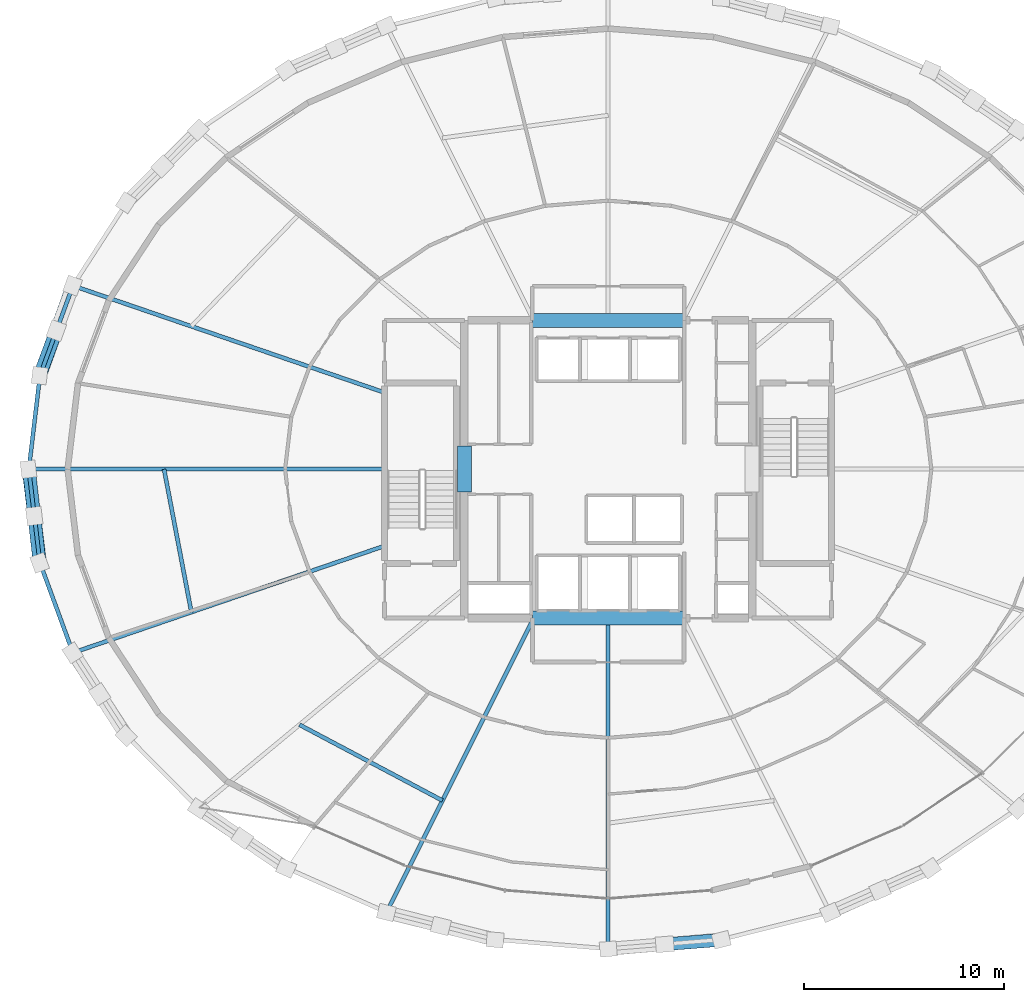
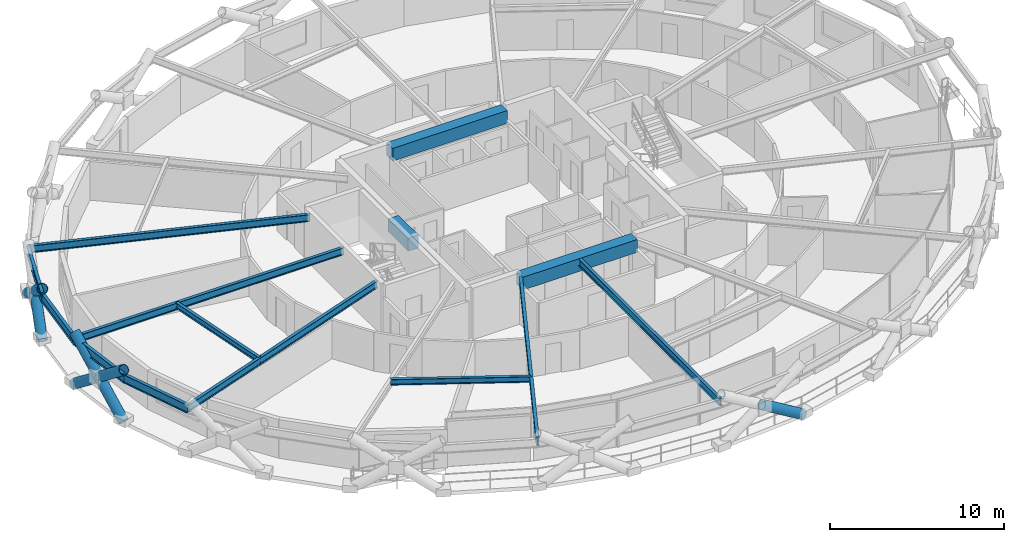
# One storey, part 5 of 22: 14 beams, 6 members.
"""IFC4 building model written with IfcOpenShell, lengths in metres."""

from ifc_helpers import new_model, si_unit, direction, frame, origin, origin_2d, place, context, subcontext, project, spatial, rectangle, hollow_circle, i_section, extrude, material, material_profile, profile_set, type_object, element, save


model = new_model("IFC4")

# Units and contexts
model_context = context("Model", 3, precision=1e-05, world=origin(), true_north=direction((0.0, 1.0)))
body_context = subcontext(model_context, "Body", "Model", "MODEL_VIEW")
ifc_project = project(units=[si_unit("LENGTHUNIT", "METRE"), si_unit("AREAUNIT", "SQUARE_METRE"), si_unit("VOLUMEUNIT", "CUBIC_METRE"), si_unit("PLANEANGLEUNIT", "RADIAN"), si_unit("MASSUNIT", "GRAM", prefix="KILO")], contexts=[model_context])

# Site, building, storey
site_placement = place(None, origin())
site = spatial("IfcSite", under=ifc_project, at=site_placement, CompositionType="ELEMENT")
building_placement = place(site_placement, origin())
building = spatial("IfcBuilding", under=site, at=building_placement, Name="Veldorina Hangang Commons", CompositionType="ELEMENT")
storey_placement = place(building_placement, frame((0.0, 0.0, 80.800048828125)))
storey = spatial("IfcBuildingStorey", under=building, at=storey_placement, Name="L20", CompositionType="ELEMENT", Elevation=80.800048828125)

# Beams
ifc_material_1 = material(Name="Concrete C70/85", Category="concrete")
ifc_material_profile_1 = material_profile(ifc_material_1, rectangle(XDim=0.699951171875, YDim=0.89990234375, at=origin_2d()), Name="RC-CB-700x900")
ifc_profile_set_1 = profile_set([ifc_material_profile_1], Name="Concrete C70/85")
beam_type_1 = type_object("IfcBeamType", Name="BM-CB900", PredefinedType="LINTEL", material=ifc_profile_set_1)
beam_1_placement = place(storey_placement, frame((24.800048828125, 22.85009765625, 2.889892578125), z_axis=(0.0, 1.0, 0.0), x_axis=(-1.0, 0.0, 0.0)))
element("IfcBeam", 1, at=beam_1_placement, inside=storey, type_object=beam_type_1, Name="L20 W core coupling lintel beam", PredefinedType="LINTEL", context=body_context, shape_type="SweptSolid", body=[
    extrude(rectangle(XDim=0.699951171875, YDim=0.89990234375, at=origin_2d()), origin(), (0.0, 0.0, 1.0), 2.2998046875),
])
for number, where, z_axis, x_axis, name in (
    (2, (28.199951171875, 16.550048828125, 2.889892578125), (1.0, 0.0, 0.0), (0.0, 1.0, 0.0), "L20 south core coupling beam"),
    (3, (28.199951171875, 31.449951171875, 2.889892578125), (1.0, 0.0, 0.0), (0.0, 1.0, 0.0), "L20 north core coupling beam"),
):
    element("IfcBeam", number, at=place(storey_placement, frame(where, z_axis=z_axis, x_axis=x_axis)), inside=storey, type_object=beam_type_1, Name=name, PredefinedType="LINTEL", context=body_context, shape_type="SweptSolid", body=[
        extrude(rectangle(XDim=0.699951171875, YDim=0.89990234375, at=origin_2d()), origin(), (0.0, 0.0, 1.0), 7.60009765625),
    ])
ifc_material_2 = material(Name="Steel SM420-TMC", Category="steel")
ifc_material_profile_2 = material_profile(ifc_material_2, i_section(OverallWidth=0.199951171875, OverallDepth=0.5, WebThickness=0.010009765625, FlangeThickness=0.01611328125, FilletRadius=0.01611328125, at=origin_2d()), Name="H-500x200x10x16")
ifc_profile_set_2 = profile_set([ifc_material_profile_2], Name="Steel SM420-TMC")
beam_type_2 = type_object("IfcBeamType", Name="BM-FG500", PredefinedType="BEAM", material=ifc_profile_set_2)
beam_2_placement = place(storey_placement, frame((20.820068359375, 27.8330078125, 3.08984375), z_axis=(-0.945956848509, 0.324292523439, 0.0), x_axis=(-0.324292523439, -0.945956848509, 0.0)))
element("IfcBeam", 4, at=beam_2_placement, inside=storey, type_object=beam_type_2, Name="L20 radial floor girder 08", PredefinedType="BEAM", context=body_context, shape_type="SweptSolid", body=[
    extrude(i_section(OverallWidth=0.199951171875, OverallDepth=0.5, WebThickness=0.010009765625, FlangeThickness=0.01611328125, FilletRadius=0.01611328125, at=origin_2d()), origin(), (0.0, 0.0, 1.0), 16.4873046875),
])
beam_3_placement = place(storey_placement, frame((20.820068359375, 24.0, 3.08984375), z_axis=(-1.0, 0.0, 0.0), x_axis=(0.0, -1.0, 0.0)))
element("IfcBeam", 5, at=beam_3_placement, inside=storey, type_object=beam_type_2, Name="L20 radial floor girder 09", PredefinedType="BEAM", context=body_context, shape_type="SweptSolid", body=[
    extrude(i_section(OverallWidth=0.199951171875, OverallDepth=0.5, WebThickness=0.010009765625, FlangeThickness=0.01611328125, FilletRadius=0.01611328125, at=origin_2d()), origin(), (0.0, 0.0, 1.0), 17.802490234375),
])
beam_4_placement = place(storey_placement, frame((20.820068359375, 20.1669921875, 3.08984375), z_axis=(-0.945956848509, -0.324292523439, 0.0), x_axis=(0.324292523439, -0.945956848509, 0.0)))
element("IfcBeam", 6, at=beam_4_placement, inside=storey, type_object=beam_type_2, Name="L20 radial floor girder 10", PredefinedType="BEAM", context=body_context, shape_type="SweptSolid", body=[
    extrude(i_section(OverallWidth=0.199951171875, OverallDepth=0.5, WebThickness=0.010009765625, FlangeThickness=0.01611328125, FilletRadius=0.01611328125, at=origin_2d()), origin(), (0.0, 0.0, 1.0), 16.4873046875),
])
beam_5_placement = place(storey_placement, frame((28.271484375, 16.550048828125, 3.08984375), z_axis=(-0.447540053127, -0.894263887701, 0.0), x_axis=(0.894263887701, -0.447540053127, 0.0)))
element("IfcBeam", 7, at=beam_5_placement, inside=storey, type_object=beam_type_2, Name="L20 radial floor girder 12", PredefinedType="BEAM", context=body_context, shape_type="SweptSolid", body=[
    extrude(i_section(OverallWidth=0.199951171875, OverallDepth=0.5, WebThickness=0.010009765625, FlangeThickness=0.01611328125, FilletRadius=0.01611328125, at=origin_2d()), origin(), (0.0, 0.0, 1.0), 16.451171875),
])
beam_6_placement = place(storey_placement, frame((32.0, 16.550048828125, 3.08984375), z_axis=(0.0, -1.0, 0.0), x_axis=(1.0, 0.0, 0.0)))
element("IfcBeam", 8, at=beam_6_placement, inside=storey, type_object=beam_type_2, Name="L20 radial floor girder 13", PredefinedType="BEAM", context=body_context, shape_type="SweptSolid", body=[
    extrude(i_section(OverallWidth=0.199951171875, OverallDepth=0.5, WebThickness=0.010009765625, FlangeThickness=0.01611328125, FilletRadius=0.01611328125, at=origin_2d()), origin(), (0.0, 0.0, 1.0), 16.53759765625),
])
ifc_material_3 = material(Name="Steel SM355-TMC", Category="steel")
ifc_material_profile_3 = material_profile(ifc_material_3, i_section(OverallWidth=0.199951171875, OverallDepth=0.39990234375, WebThickness=0.008056640625, FlangeThickness=0.012939453125, FilletRadius=0.012939453125, at=origin_2d()), Name="H-400x200x8x13")
ifc_profile_set_3 = profile_set([ifc_material_profile_3], Name="Steel SM355-TMC")
beam_type_3 = type_object("IfcBeamType", Name="BM-JST400", PredefinedType="JOIST", material=ifc_profile_set_3)
beam_7_placement = place(storey_placement, frame((9.78271484375, 24.0, 3.139892578125), z_axis=(0.187929057734, -0.982182604845, 0.0), x_axis=(0.982182604845, 0.187929057734, 0.0)))
element("IfcBeam", 9, at=beam_7_placement, inside=storey, type_object=beam_type_3, Name="L20 secondary floor joist 09", PredefinedType="JOIST", context=body_context, shape_type="SweptSolid", body=[
    extrude(i_section(OverallWidth=0.199951171875, OverallDepth=0.39990234375, WebThickness=0.008056640625, FlangeThickness=0.012939453125, FilletRadius=0.012939453125, at=origin_2d()), origin(), (0.0, 0.0, 1.0), 7.277587890625),
])
beam_8_placement = place(storey_placement, frame((16.55810546875, 11.21923828125, 3.139892578125), z_axis=(0.883484618335, -0.468460168173, 0.0), x_axis=(0.468460168173, 0.883484618335, 0.0)))
element("IfcBeam", 10, at=beam_8_placement, inside=storey, type_object=beam_type_3, Name="L20 secondary floor joist 11", PredefinedType="JOIST", context=body_context, shape_type="SweptSolid", body=[
    extrude(i_section(OverallWidth=0.199951171875, OverallDepth=0.39990234375, WebThickness=0.008056640625, FlangeThickness=0.012939453125, FilletRadius=0.012939453125, at=origin_2d()), origin(), (0.0, 0.0, 1.0), 8.091552734375),
])
ifc_material_profile_4 = material_profile(ifc_material_2, i_section(OverallWidth=0.199951171875, OverallDepth=0.60009765625, WebThickness=0.010986328125, FlangeThickness=0.01708984375, FilletRadius=0.01806640625, at=origin_2d()), Name="H-600x200x11x17")
ifc_profile_set_4 = profile_set([ifc_material_profile_4], Name="Steel SM420-TMC")
beam_type_4 = type_object("IfcBeamType", Name="BM-RB600", PredefinedType="BEAM", material=ifc_profile_set_4)
beam_9_placement = place(storey_placement, frame((5.223876953125, 33.1796875, 3.0400390625), z_axis=(-0.344101973275, -0.938932282962, 0.0), x_axis=(0.938932282962, -0.344101973275, 0.0)))
element("IfcBeam", 11, at=beam_9_placement, inside=storey, type_object=beam_type_4, Name="L20 perimeter hoop ring beam 14", PredefinedType="BEAM", context=body_context, shape_type="SweptSolid", body=[
    extrude(i_section(OverallWidth=0.199951171875, OverallDepth=0.60009765625, WebThickness=0.010986328125, FlangeThickness=0.01708984375, FilletRadius=0.01806640625, at=origin_2d()), origin(), (0.0, 0.0, 1.0), 4.792724609375),
])
for number, where, z_axis, x_axis, name in (
    (12, (3.57470703125, 28.6796875, 3.0400390625), (-0.118217754595, -0.992987695039, 0.0), (0.992987695039, -0.118217754595, 0.0), "L20 perimeter hoop ring beam 15"),
    (13, (3.017578125, 24.0, 3.0400390625), (0.118217754595, -0.992987695039, 0.0), (0.992987695039, 0.118217754595, 0.0), "L20 perimeter hoop ring beam 16"),
):
    element("IfcBeam", number, at=place(storey_placement, frame(where, z_axis=z_axis, x_axis=x_axis)), inside=storey, type_object=beam_type_4, Name=name, PredefinedType="BEAM", context=body_context, shape_type="SweptSolid", body=[
        extrude(i_section(OverallWidth=0.199951171875, OverallDepth=0.60009765625, WebThickness=0.010986328125, FlangeThickness=0.01708984375, FilletRadius=0.01806640625, at=origin_2d()), origin(), (0.0, 0.0, 1.0), 4.712646484375),
    ])
beam_10_placement = place(storey_placement, frame((3.57470703125, 19.3203125, 3.0400390625), z_axis=(0.344101973275, -0.938932282962, 0.0), x_axis=(0.938932282962, 0.344101973275, 0.0)))
element("IfcBeam", 14, at=beam_10_placement, inside=storey, type_object=beam_type_4, Name="L20 perimeter hoop ring beam 17", PredefinedType="BEAM", context=body_context, shape_type="SweptSolid", body=[
    extrude(i_section(OverallWidth=0.199951171875, OverallDepth=0.60009765625, WebThickness=0.010986328125, FlangeThickness=0.01708984375, FilletRadius=0.01806640625, at=origin_2d()), origin(), (0.0, 0.0, 1.0), 4.792724609375),
])

# Members
ifc_material_4 = material(Name="Steel SM460-TMC", Category="steel")
ifc_material_profile_5 = material_profile(ifc_material_4, hollow_circle(Radius=0.324951171875, WallThickness=0.031982421875, at=origin_2d()), Name="CHS-650x32")
ifc_profile_set_5 = profile_set([ifc_material_profile_5], Name="Steel SM460-TMC")
member_type = type_object("IfcMemberType", Name="DG-CHS650", PredefinedType="BRACE", material=ifc_profile_set_5)
member_1_placement = place(storey_placement, frame((5.20751953125, 33.184326171875, 0.0), z_axis=(-0.271943424306, -0.751786068722, 0.600719968748), x_axis=(0.940367902112, -0.340159093188, 0.0)))
element("IfcMember", 15, at=member_1_placement, inside=storey, type_object=member_type, Name="L20 continuous perimeter diagrid brace 14", PredefinedType="BRACE", context=body_context, shape_type="SweptSolid", body=[
    extrude(hollow_circle(Radius=0.324951171875, WallThickness=0.031982421875, at=origin_2d()), origin(), (0.0, 0.0, 1.0), 5.99267578125),
])
member_2_placement = place(storey_placement, frame((3.55712890625, 28.68212890625, 0.0), z_axis=(0.27843869925, 0.749774129638, 0.60025881525), x_axis=(-0.937445199765, 0.348132873252, 0.0)))
element("IfcMember", 16, at=member_2_placement, inside=storey, type_object=member_type, Name="L20 split perimeter diagrid lower brace 15", PredefinedType="BRACE", context=body_context, shape_type="SweptSolid", body=[
    extrude(hollow_circle(Radius=0.324951171875, WallThickness=0.031982421875, at=origin_2d()), origin(), (0.0, 0.0, 1.0), 2.99951171875),
])
member_3_placement = place(storey_placement, frame((3.0, 24.0, 0.0), z_axis=(0.097418686877, -0.788815611613, 0.606860387834), x_axis=(0.992460023774, 0.122568761154, 0.0)))
element("IfcMember", 17, at=member_3_placement, inside=storey, type_object=member_type, Name="L20 continuous perimeter diagrid brace 16", PredefinedType="BRACE", context=body_context, shape_type="SweptSolid", body=[
    extrude(hollow_circle(Radius=0.324951171875, WallThickness=0.031982421875, at=origin_2d()), origin(), (0.0, 0.0, 1.0), 5.931884765625),
])
member_4_placement = place(storey_placement, frame((3.55712890625, 19.31787109375, 0.0), z_axis=(-0.090376433627, 0.789517988475, 0.607036610197), x_axis=(-0.993511957412, -0.113727703215, 0.0)))
element("IfcMember", 18, at=member_4_placement, inside=storey, type_object=member_type, Name="L20 split perimeter diagrid lower brace 17", PredefinedType="BRACE", context=body_context, shape_type="SweptSolid", body=[
    extrude(hollow_circle(Radius=0.324951171875, WallThickness=0.031982421875, at=origin_2d()), origin(), (0.0, 0.0, 1.0), 2.966064453125),
])
member_5_placement = place(storey_placement, frame((3.2890625, 21.65966796875, 1.800537109375), z_axis=(-0.090434287664, 0.789529218166, 0.607013388054), x_axis=(-0.993503911967, -0.113797965297, 0.0)))
element("IfcMember", 19, at=member_5_placement, inside=storey, type_object=member_type, Name="L20 split perimeter diagrid upper brace 17", PredefinedType="BRACE", context=body_context, shape_type="SweptSolid", body=[
    extrude(hollow_circle(Radius=0.324951171875, WallThickness=0.031982421875, at=origin_2d()), origin(), (0.0, 0.0, 1.0), 2.964111328125),
])
member_6_placement = place(storey_placement, frame((37.65771484375, 0.461181640625, 0.0), z_axis=(-0.841832409885, -0.066454719614, 0.535632302899), x_axis=(0.078695737507, -0.99689868136, 0.0)))
element("IfcMember", 20, at=member_6_placement, inside=storey, type_object=member_type, Name="L20 split perimeter diagrid lower brace 25", PredefinedType="BRACE", context=body_context, shape_type="SweptSolid", body=[
    extrude(hollow_circle(Radius=0.324951171875, WallThickness=0.031982421875, at=origin_2d()), origin(), (0.0, 0.0, 1.0), 3.361572265625),
])

save(model, "model.ifc")
